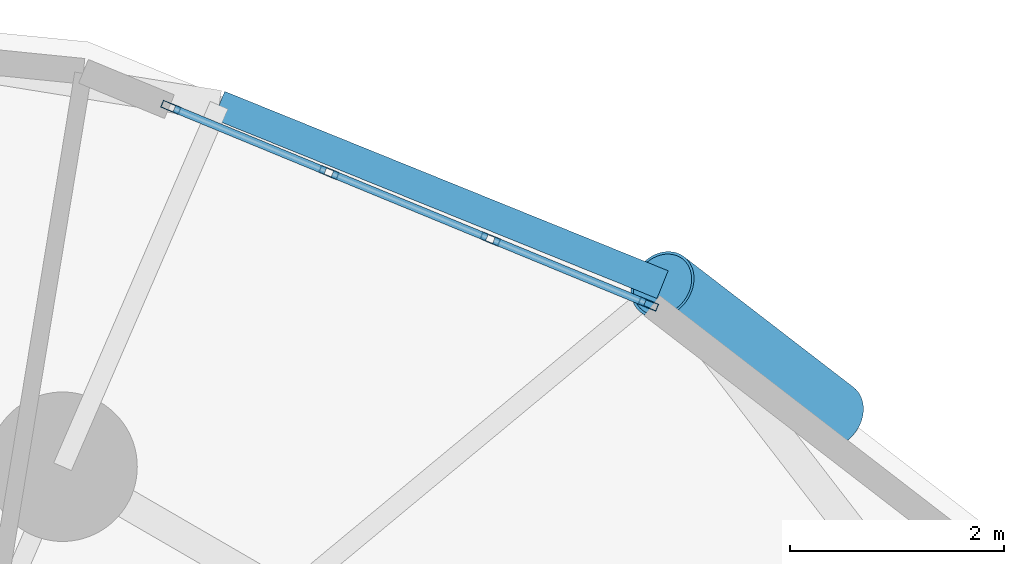
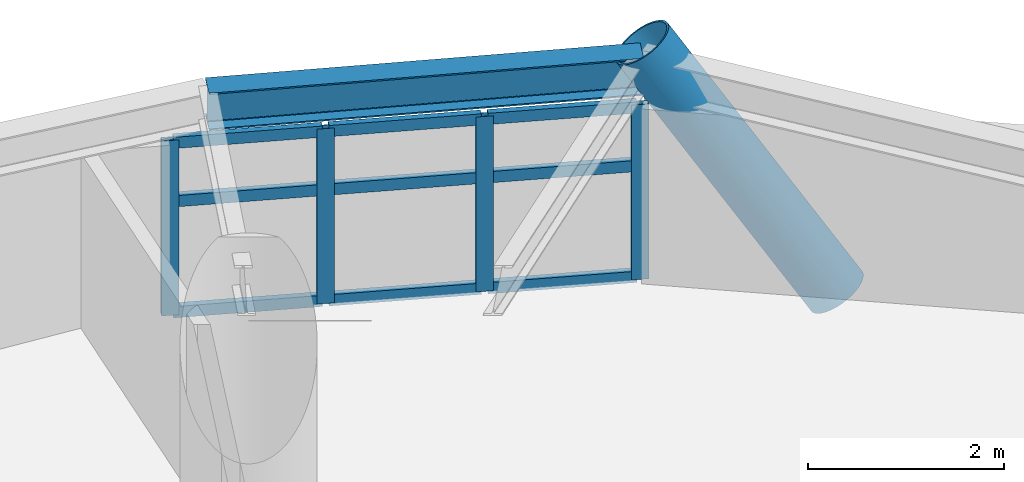
# One storey, part 7 of 17: 14 members, 1 beam, 1 element without a shape of its own.
"""IFC4 building model written with IfcOpenShell, lengths in metres."""

from ifc_helpers import new_model, si_unit, direction, frame, origin, origin_2d, place, context, subcontext, project, spatial, hollow_rectangle, hollow_circle, i_section, extrude, material, layer, layer_set, material_profile, profile_set, type_object, element, aggregate, save


model = new_model("IFC4")

# Units and contexts
model_context = context("Model", 3, precision=1e-05, world=origin(), true_north=direction((0.0, 1.0)))
body_context = subcontext(model_context, "Body", "Model", "MODEL_VIEW")
ifc_project = project(units=[si_unit("LENGTHUNIT", "METRE"), si_unit("AREAUNIT", "SQUARE_METRE"), si_unit("VOLUMEUNIT", "CUBIC_METRE"), si_unit("PLANEANGLEUNIT", "RADIAN"), si_unit("MASSUNIT", "GRAM", prefix="KILO")], contexts=[model_context])

# Site, building, storey
site_placement = place(None, origin())
site = spatial("IfcSite", under=ifc_project, at=site_placement, CompositionType="ELEMENT")
building_placement = place(site_placement, origin())
building = spatial("IfcBuilding", under=site, at=building_placement, Name="Cununo Teusaquillo Station Towers", CompositionType="ELEMENT")
storey_placement = place(building_placement, frame((0.0, 0.0, 116.7099609375)))
storey = spatial("IfcBuildingStorey", under=building, at=storey_placement, Name="L37", CompositionType="ELEMENT", Elevation=116.7099609375)

# Beam
ifc_material_1 = material(Name="Steel ASTM A572 Grade 50", Category="steel")
ifc_material_profile_1 = material_profile(ifc_material_1, i_section(OverallWidth=0.280029296875, OverallDepth=0.462890625, WebThickness=0.0107421875, FlangeThickness=0.017333984375, FilletRadius=0.013916015625, at=origin_2d()), Name="W18X76")
ifc_profile_set_1 = profile_set([ifc_material_profile_1], Name="Steel ASTM A572 Grade 50")
beam_type = type_object("IfcBeamType", Name="BM-RING-Z2", PredefinedType="SPANDREL", material=ifc_profile_set_1)
beam_placement = place(storey_placement, frame((63.9111328125, 39.341064453125, 2.4384765625), z_axis=(-0.927007712072, 0.375042266631, 0.0), x_axis=(-0.375042266631, -0.927007712072, 0.0)))
element("IfcBeam", 1, at=beam_placement, inside=storey, type_object=beam_type, Name="L37 Tower B Spandrel Ring Beam 02", PredefinedType="SPANDREL", context=body_context, shape_type="SweptSolid", body=[
    extrude(i_section(OverallWidth=0.280029296875, OverallDepth=0.462890625, WebThickness=0.0107421875, FlangeThickness=0.017333984375, FilletRadius=0.013916015625, at=origin_2d()), origin(), (0.0, 0.0, 1.0), 4.480712890625),
])

# Curtain wall, members
ifc_material_2 = material(Name="Ceramic-fritted dark low-E double glazing", Category="glass")
ifc_layer = layer(ifc_material_2, 0.179931640625)
ifc_layer_set = layer_set([ifc_layer], Name="Ceramic-fritted dark low-E double glazing")
curtain_wall_type = type_object("IfcCurtainWallType", Name="CW-SYS-04", PredefinedType="USERDEFINED", material=ifc_layer_set)
curtain_wall_placement = place(storey_placement, origin())
curtain_wall = element("IfcCurtainWall", 2, at=curtain_wall_placement, inside=storey, type_object=curtain_wall_type, Name="L37 Tower B Facade Curtain Wall C01", ObjectType="FRITTED GLAZING", PredefinedType="USERDEFINED")
ifc_material_3 = material(Name="Anodised dark bronze aluminium EN AW-6063-T6", Category="aluminium")
ifc_material_profile_2 = material_profile(ifc_material_3, hollow_rectangle(XDim=0.070068359375, YDim=0.179931640625, WallThickness=0.00390625, at=origin_2d()), Name="CW-MULL-70x180")
ifc_profile_set_2 = profile_set([ifc_material_profile_2], Name="Anodised dark bronze aluminium EN AW-6063-T6")
member_type_1 = type_object("IfcMemberType", Name="CWM-180", PredefinedType="MULLION", material=ifc_profile_set_2)
member_1_placement = place(storey_placement, frame((59.3056640625, 41.001953125, 0.0), z_axis=(0.0, 0.0, 1.0), x_axis=(0.381030560176, 0.924562443652, 0.0)))
member_1 = element("IfcMember", 3, at=member_1_placement, type_object=member_type_1, Name="CW-04 mullion 1", PredefinedType="MULLION", context=body_context, shape_type="SweptSolid", body=[
    extrude(hollow_rectangle(XDim=0.070068359375, YDim=0.179931640625, WallThickness=0.00390625, at=origin_2d()), origin(), (0.0, 0.0, 1.0), 2.178955078125),
])
member_2_placement = place(storey_placement, frame((60.785888671875, 40.39208984375, 0.0), z_axis=(0.0, 0.0, 1.0), x_axis=(0.381030560176, 0.924562443652, 0.0)))
member_2 = element("IfcMember", 4, at=member_2_placement, type_object=member_type_1, Name="CW-04 mullion 2", PredefinedType="MULLION", context=body_context, shape_type="SweptSolid", body=[
    extrude(hollow_rectangle(XDim=0.070068359375, YDim=0.179931640625, WallThickness=0.00390625, at=origin_2d()), origin(), (0.0, 0.0, 1.0), 2.178955078125),
])
member_3_placement = place(storey_placement, frame((62.298583984375, 39.7685546875, 0.0), z_axis=(0.0, 0.0, 1.0), x_axis=(0.381030560176, 0.924562443652, 0.0)))
member_3 = element("IfcMember", 5, at=member_3_placement, type_object=member_type_1, Name="CW-04 mullion 3", PredefinedType="MULLION", context=body_context, shape_type="SweptSolid", body=[
    extrude(hollow_rectangle(XDim=0.070068359375, YDim=0.179931640625, WallThickness=0.00390625, at=origin_2d()), origin(), (0.0, 0.0, 1.0), 2.178955078125),
])
member_4_placement = place(storey_placement, frame((63.77880859375, 39.158447265625, 0.0), z_axis=(0.0, 0.0, 1.0), x_axis=(0.381030560176, 0.924562443652, 0.0)))
member_4 = element("IfcMember", 6, at=member_4_placement, type_object=member_type_1, Name="CW-04 mullion 4", PredefinedType="MULLION", context=body_context, shape_type="SweptSolid", body=[
    extrude(hollow_rectangle(XDim=0.070068359375, YDim=0.179931640625, WallThickness=0.00390625, at=origin_2d()), origin(), (0.0, 0.0, 1.0), 2.178955078125),
])
ifc_material_4 = material(Name="Anodised dark bronze aluminium EN AW-6063-T6", Category="aluminium")
ifc_material_profile_3 = material_profile(ifc_material_4, hollow_rectangle(XDim=0.070068359375, YDim=0.139892578125, WallThickness=0.00390625, at=origin_2d()), Name="CW-TRAN-70x140")
ifc_profile_set_3 = profile_set([ifc_material_profile_3], Name="Anodised dark bronze aluminium EN AW-6063-T6")
member_type_2 = type_object("IfcMemberType", Name="CWT-140", PredefinedType="USERDEFINED", material=ifc_profile_set_3)
member_5_placement = place(storey_placement, frame((59.337890625, 40.98876953125, 0.03515625), z_axis=(0.924532726965, -0.381102659097, 0.0), x_axis=(0.381102659097, 0.924532726965, 0.0)))
member_5 = element("IfcMember", 7, at=member_5_placement, type_object=member_type_2, Name="CW-04 transom 1.1", ObjectType="TRANSOM", PredefinedType="USERDEFINED", context=body_context, shape_type="SweptSolid", body=[
    extrude(hollow_rectangle(XDim=0.070068359375, YDim=0.139892578125, WallThickness=0.00390625, at=origin_2d()), origin(), (0.0, 0.0, 1.0), 1.531005859375),
])
member_6_placement = place(storey_placement, frame((59.337890625, 40.98876953125, 1.416015625), z_axis=(0.924532726965, -0.381102659097, 0.0), x_axis=(0.381102659097, 0.924532726965, 0.0)))
member_6 = element("IfcMember", 8, at=member_6_placement, type_object=member_type_2, Name="CW-04 transom 1.2", ObjectType="TRANSOM", PredefinedType="USERDEFINED", context=body_context, shape_type="SweptSolid", body=[
    extrude(hollow_rectangle(XDim=0.070068359375, YDim=0.139892578125, WallThickness=0.00390625, at=origin_2d()), origin(), (0.0, 0.0, 1.0), 1.531005859375),
])
member_7_placement = place(storey_placement, frame((59.337890625, 40.98876953125, 2.14404296875), z_axis=(0.924532726965, -0.381102659097, 0.0), x_axis=(0.381102659097, 0.924532726965, 0.0)))
member_7 = element("IfcMember", 9, at=member_7_placement, type_object=member_type_2, Name="CW-04 transom 1.3", ObjectType="TRANSOM", PredefinedType="USERDEFINED", context=body_context, shape_type="SweptSolid", body=[
    extrude(hollow_rectangle(XDim=0.070068359375, YDim=0.139892578125, WallThickness=0.00390625, at=origin_2d()), origin(), (0.0, 0.0, 1.0), 1.531005859375),
])
member_8_placement = place(storey_placement, frame((60.818115234375, 40.378662109375, 0.03515625), z_axis=(0.924577983912, -0.380992849887, 0.0), x_axis=(0.380992849887, 0.924577983912, 0.0)))
member_8 = element("IfcMember", 10, at=member_8_placement, type_object=member_type_2, Name="CW-04 transom 2.1", ObjectType="TRANSOM", PredefinedType="USERDEFINED", context=body_context, shape_type="SweptSolid", body=[
    extrude(hollow_rectangle(XDim=0.070068359375, YDim=0.139892578125, WallThickness=0.00390625, at=origin_2d()), origin(), (0.0, 0.0, 1.0), 1.566162109375),
])
member_9_placement = place(storey_placement, frame((60.818115234375, 40.378662109375, 1.416015625), z_axis=(0.924577983912, -0.380992849887, 0.0), x_axis=(0.380992849887, 0.924577983912, 0.0)))
member_9 = element("IfcMember", 11, at=member_9_placement, type_object=member_type_2, Name="CW-04 transom 2.2", ObjectType="TRANSOM", PredefinedType="USERDEFINED", context=body_context, shape_type="SweptSolid", body=[
    extrude(hollow_rectangle(XDim=0.070068359375, YDim=0.139892578125, WallThickness=0.00390625, at=origin_2d()), origin(), (0.0, 0.0, 1.0), 1.566162109375),
])
member_10_placement = place(storey_placement, frame((60.818115234375, 40.378662109375, 2.14404296875), z_axis=(0.924577983912, -0.380992849887, 0.0), x_axis=(0.380992849887, 0.924577983912, 0.0)))
member_10 = element("IfcMember", 12, at=member_10_placement, type_object=member_type_2, Name="CW-04 transom 2.3", ObjectType="TRANSOM", PredefinedType="USERDEFINED", context=body_context, shape_type="SweptSolid", body=[
    extrude(hollow_rectangle(XDim=0.070068359375, YDim=0.139892578125, WallThickness=0.00390625, at=origin_2d()), origin(), (0.0, 0.0, 1.0), 1.566162109375),
])
member_11_placement = place(storey_placement, frame((62.330810546875, 39.75537109375, 0.03515625), z_axis=(0.924555881283, -0.381046483233, 0.0), x_axis=(0.381046483233, 0.924555881283, 0.0)))
member_11 = element("IfcMember", 13, at=member_11_placement, type_object=member_type_2, Name="CW-04 transom 3.1", ObjectType="TRANSOM", PredefinedType="USERDEFINED", context=body_context, shape_type="SweptSolid", body=[
    extrude(hollow_rectangle(XDim=0.070068359375, YDim=0.139892578125, WallThickness=0.00390625, at=origin_2d()), origin(), (0.0, 0.0, 1.0), 1.53125),
])
member_12_placement = place(storey_placement, frame((62.330810546875, 39.75537109375, 1.416015625), z_axis=(0.924555881283, -0.381046483233, 0.0), x_axis=(0.381046483233, 0.924555881283, 0.0)))
member_12 = element("IfcMember", 14, at=member_12_placement, type_object=member_type_2, Name="CW-04 transom 3.2", ObjectType="TRANSOM", PredefinedType="USERDEFINED", context=body_context, shape_type="SweptSolid", body=[
    extrude(hollow_rectangle(XDim=0.070068359375, YDim=0.139892578125, WallThickness=0.00390625, at=origin_2d()), origin(), (0.0, 0.0, 1.0), 1.53125),
])
member_13_placement = place(storey_placement, frame((62.330810546875, 39.75537109375, 2.14404296875), z_axis=(0.924555881283, -0.381046483233, 0.0), x_axis=(0.381046483233, 0.924555881283, 0.0)))
member_13 = element("IfcMember", 15, at=member_13_placement, type_object=member_type_2, Name="CW-04 transom 3.3", ObjectType="TRANSOM", PredefinedType="USERDEFINED", context=body_context, shape_type="SweptSolid", body=[
    extrude(hollow_rectangle(XDim=0.070068359375, YDim=0.139892578125, WallThickness=0.00390625, at=origin_2d()), origin(), (0.0, 0.0, 1.0), 1.53125),
])
aggregate(curtain_wall, [member_1, member_2, member_3, member_4, member_5, member_6, member_7, member_8, member_9, member_10, member_11, member_12, member_13])

# Member
ifc_material_5 = material(Name="Steel EN 10025-2 S355J2", Category="steel")
ifc_material_profile_4 = material_profile(ifc_material_5, hollow_circle(Radius=0.330078125, WallThickness=0.02490234375, at=origin_2d()), Name="CHS 660x25")
ifc_profile_set_4 = profile_set([ifc_material_profile_4], Name="Steel EN 10025-2 S355J2")
member_type_3 = type_object("IfcMemberType", Name="MBR-DIAG-Z2", PredefinedType="BRACE", material=ifc_profile_set_4)
member_14_placement = place(storey_placement, frame((65.498291015625, 38.118408203125, -0.139892578125), z_axis=(-0.449247835466, 0.346074936166, 0.823655583898), x_axis=(-0.610264182076, -0.792197972779, 0.0)))
element("IfcMember", 16, at=member_14_placement, inside=storey, type_object=member_type_3, Name="L37 Tower B Folded-Zigzag Diagrid Tube C00", PredefinedType="BRACE", context=body_context, shape_type="SweptSolid", body=[
    extrude(hollow_circle(Radius=0.330078125, WallThickness=0.02490234375, at=origin_2d()), origin(), (0.0, 0.0, 1.0), 3.532958984375),
])

save(model, "model.ifc")
